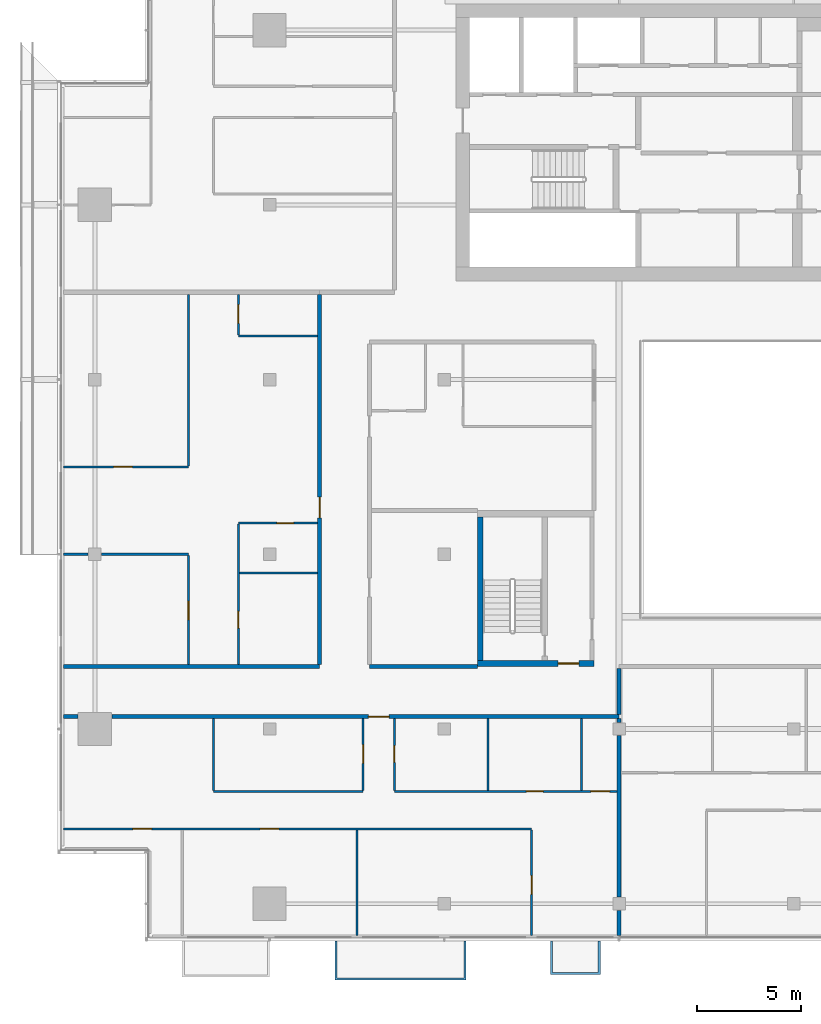
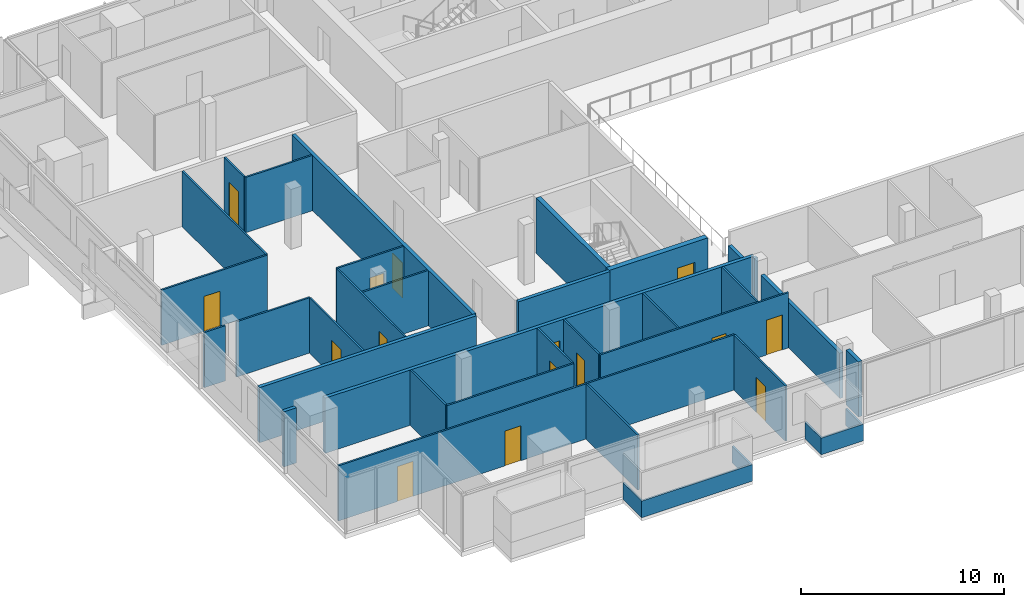
# One storey, part 18 of 29: 33 walls, 15 doors, 15 openings.
"""IFC4 building model written with IfcOpenShell, lengths in metres."""

import ifcopenshell
import ifcopenshell.guid

model = None  # the IFC model being written
_history = None  # IfcOwnerHistory: only IFC2X3 demands one
_inside = {}  # id of a spatial element -> (the spatial element, [elements in it])
_under = {}  # id of a project, library or spatial element -> (it, [spatial elements below it])
_declared = {}  # id of a project -> (the project, [libraries it declares])
_typed = {}  # id of a type object -> (the type object, [elements of that type])
_made_of = {}  # id of a material, layer set ... -> (it, [elements and type objects made of it])


def new_model(schema):
    """Start an empty IFC model of exactly this schema.

    Asked for "IFC4X3", IfcOpenShell would pick the latest addendum, in which some entities
    have other attributes; the version numbers below select the first issue.
    IFC2X3 requires an IfcOwnerHistory on every rooted entity: one is made here for all.
    """
    global model, _history
    if schema == "IFC4X3":
        model = ifcopenshell.file(schema_version=(4, 3, 0, 0))
    else:
        model = ifcopenshell.file(schema=schema)
    _inside.clear()
    _under.clear()
    _declared.clear()
    _typed.clear()
    _made_of.clear()
    _history = None
    if model.schema == "IFC2X3":
        org = make("IfcOrganization", Name="unknown")
        user = make(
            "IfcPersonAndOrganization",
            ThePerson=make("IfcPerson", FamilyName="unknown"),
            TheOrganization=org,
        )
        app = make(
            "IfcApplication",
            ApplicationDeveloper=org,
            Version="unknown",
            ApplicationFullName="unknown",
            ApplicationIdentifier="unknown",
        )
        _history = make(
            "IfcOwnerHistory",
            OwningUser=user,
            OwningApplication=app,
            ChangeAction="ADDED",
            CreationDate=0,
        )
    return model


def make(cls, **values):
    """One entity of the class cls with the attributes given. An attribute that is None is left unset."""
    return model.create_entity(
        cls, **{name: value for name, value in values.items() if value is not None}
    )


def rooted(cls, **values):
    """An entity with a GlobalId (a new one), such as an element, a storey or a relation."""
    return make(cls, GlobalId=ifcopenshell.guid.new(), OwnerHistory=_history, **values)


def si_unit(unit_type, name, prefix=None):
    """IfcSIUnit, for example si_unit("LENGTHUNIT", "METRE", prefix="MILLI")."""
    return make("IfcSIUnit", UnitType=unit_type, Prefix=prefix, Name=name)


def assignment(units):
    """IfcUnitAssignment: the units of a project."""
    return None if units is None else make("IfcUnitAssignment", Units=units)


def point(xyz):
    """IfcCartesianPoint."""
    return None if xyz is None else make("IfcCartesianPoint", Coordinates=xyz)


def direction(xyz):
    """IfcDirection."""
    return None if xyz is None else make("IfcDirection", DirectionRatios=xyz)


def frame(location, z_axis=None, x_axis=None):
    """IfcAxis2Placement3D, a coordinate frame: its origin and axes. An axis left out is left unset."""
    return make(
        "IfcAxis2Placement3D",
        Location=point(location),
        Axis=direction(z_axis),
        RefDirection=direction(x_axis),
    )


def frame_2d(location, x_axis=None):
    """IfcAxis2Placement2D, a coordinate frame in the plane: its origin and x axis."""
    return make(
        "IfcAxis2Placement2D", Location=point(location), RefDirection=direction(x_axis)
    )


def origin():
    """The frame at (0, 0, 0) with its axes left unset."""
    return frame((0.0, 0.0, 0.0))


def place(relative_to, where):
    """IfcLocalPlacement: puts the frame where relative to a parent placement (None: the world)."""
    return make(
        "IfcLocalPlacement", PlacementRelTo=relative_to, RelativePlacement=where
    )


def context(
    kind, dimensions, precision=None, world=None, true_north=None, identifier=None
):
    """IfcGeometricRepresentationContext, for example the 3D "Model" context."""
    return make(
        "IfcGeometricRepresentationContext",
        ContextIdentifier=identifier,
        ContextType=kind,
        CoordinateSpaceDimension=dimensions,
        Precision=precision,
        WorldCoordinateSystem=world,
        TrueNorth=true_north,
    )


def subcontext(parent, identifier, kind, view, scale=None):
    """IfcGeometricRepresentationSubContext, for example "Body" below "Model"."""
    return make(
        "IfcGeometricRepresentationSubContext",
        ContextIdentifier=identifier,
        ContextType=kind,
        ParentContext=parent,
        TargetScale=scale,
        TargetView=view,
    )


def project(units=None, contexts=None):
    """IfcProject with its units and contexts."""
    return rooted(
        "IfcProject",
        Name="project",
        RepresentationContexts=contexts,
        UnitsInContext=assignment(units),
    )


def spatial(cls, under=None, at=None, **own):
    """A site, building, storey or space (cls), placed at a placement, below another one or the project."""
    s = rooted(cls, ObjectPlacement=at, **own)
    if under is not None:
        _under.setdefault(under.id(), (under, []))[1].append(s)
    return s


def polyline(points):
    """IfcPolyline through the points."""
    return make("IfcPolyline", Points=[point(p) for p in points])


def profile(cls, at=None, kind="AREA", **sizes):
    """A parametric profile (cls). Its sizes go by their IFC names, for example OverallWidth=200.0."""
    return make(cls, ProfileType=kind, Position=at, **sizes)


def rectangle(**sizes):
    """IfcRectangleProfileDef."""
    return profile("IfcRectangleProfileDef", **sizes)


def outline(outer, holes=None, kind="AREA"):
    """IfcArbitraryClosedProfileDef: a profile drawn as a closed curve; with holes, ...WithVoids."""
    if holes is None:
        return make("IfcArbitraryClosedProfileDef", ProfileType=kind, OuterCurve=outer)
    return make(
        "IfcArbitraryProfileDefWithVoids",
        ProfileType=kind,
        OuterCurve=outer,
        InnerCurves=holes,
    )


def extrude(swept, where, along, depth):
    """IfcExtrudedAreaSolid: the profile swept, set in the frame where, extruded along a direction by depth."""
    return make(
        "IfcExtrudedAreaSolid",
        SweptArea=swept,
        Position=where,
        ExtrudedDirection=direction(along),
        Depth=depth,
    )


def shape(context_of_items, identifier, shape_type, items):
    """IfcShapeRepresentation: the items that make up one representation, for example the "Body"."""
    return make(
        "IfcShapeRepresentation",
        ContextOfItems=context_of_items,
        RepresentationIdentifier=identifier,
        RepresentationType=shape_type,
        Items=items,
    )


def material(Name=None, Category=None):
    """IfcMaterial."""
    return make("IfcMaterial", Name=Name, Category=Category)


def layer(
    of_material, thickness, ventilated=None, Name=None, Category=None, Priority=None
):
    """IfcMaterialLayer: one layer of a wall or slab, of a material (None: an air gap)."""
    return make(
        "IfcMaterialLayer",
        Material=of_material,
        LayerThickness=thickness,
        IsVentilated=ventilated,
        Name=Name,
        Category=Category,
        Priority=Priority,
    )


def layer_set(layers, Name=None):
    """IfcMaterialLayerSet."""
    return make("IfcMaterialLayerSet", MaterialLayers=layers, LayerSetName=Name)


def made_of(thing, what):
    """Note that an element or type object is made of a material, layer set ...; save() writes the relation."""
    if what is not None:
        _made_of.setdefault(what.id(), (what, []))[1].append(thing)
    return thing


def type_object(cls, material=None, **own):
    """A type object (cls), such as IfcWallType, which elements share."""
    return made_of(rooted(cls, **own), material)


def element(
    cls,
    number,
    at=None,
    inside=None,
    cuts=None,
    type_object=None,
    material=None,
    context=None,
    identifier="Body",
    shape_type=None,
    held_by="IfcProductDefinitionShape",
    body=None,
    shapes=None,
    **own,
):
    """One element of the class cls, such as IfcWall. Its Tag is "e" and its number.

    at: its placement. inside: the storey or other place that contains it. cuts: it is an
    opening in that element (IfcRelVoidsElement). A single representation is given by context,
    identifier, shape_type and body (its items); several are given by shapes. held_by: the class
    of the entity that holds the representations. save() writes the other relations.
    """
    e = rooted(cls, Tag="e%d" % number, ObjectPlacement=at, **own)
    if body is not None:
        shapes = [shape(context, identifier, shape_type, body)]
    if shapes is not None:
        e.Representation = make(held_by, Representations=shapes)
    if inside is not None:
        _inside.setdefault(inside.id(), (inside, []))[1].append(e)
    if cuts is not None:
        rooted(
            "IfcRelVoidsElement", RelatingBuildingElement=cuts, RelatedOpeningElement=e
        )
    if type_object is not None:
        _typed.setdefault(type_object.id(), (type_object, []))[1].append(e)
    return made_of(e, material)


def fill(opening, filler):
    """IfcRelFillsElement: the door or window that sits in an opening."""
    return rooted(
        "IfcRelFillsElement",
        RelatingOpeningElement=opening,
        RelatedBuildingElement=filler,
    )


def aggregate(whole, parts):
    """IfcRelAggregates: a whole, such as a stair, and the parts it consists of."""
    return rooted("IfcRelAggregates", RelatingObject=whole, RelatedObjects=parts)


def save(model, path):
    """Write the relations noted so far, then the file.

    IfcRelAggregates (storeys below a building ...), IfcRelContainedInSpatialStructure (elements
    in a storey), IfcRelDefinesByType, IfcRelAssociatesMaterial and IfcRelDeclares: one each for
    every whole, place, type object, material and project.
    """
    for whole, parts in _under.values():
        aggregate(whole, parts)
    for where, things in _inside.values():
        rooted(
            "IfcRelContainedInSpatialStructure",
            RelatedElements=things,
            RelatingStructure=where,
        )
    for kind, things in _typed.values():
        rooted("IfcRelDefinesByType", RelatedObjects=things, RelatingType=kind)
    for what, things in _made_of.values():
        rooted("IfcRelAssociatesMaterial", RelatedObjects=things, RelatingMaterial=what)
    for by, libraries in _declared.values():
        rooted("IfcRelDeclares", RelatingContext=by, RelatedDefinitions=libraries)
    model.write(path)


model = new_model("IFC4")

# Units and contexts
model_context = context("Model", 3, precision=1e-05, world=origin(), true_north=direction((0.0, 1.0)))
body_context = subcontext(model_context, "Body", "Model", "MODEL_VIEW")
ifc_project = project(units=[si_unit("LENGTHUNIT", "METRE"), si_unit("AREAUNIT", "SQUARE_METRE"), si_unit("VOLUMEUNIT", "CUBIC_METRE"), si_unit("PLANEANGLEUNIT", "RADIAN"), si_unit("MASSUNIT", "GRAM", prefix="KILO")], contexts=[model_context])

# Site, building, storey
site_placement = place(None, origin())
site = spatial("IfcSite", under=ifc_project, at=site_placement, CompositionType="ELEMENT")
building_placement = place(site_placement, origin())
building = spatial("IfcBuilding", under=site, at=building_placement, Name="Saffron Gate Tower", CompositionType="ELEMENT")
storey_placement = place(building_placement, frame((0.0, 0.0, 219.89990234375)))
storey = spatial("IfcBuildingStorey", under=building, at=storey_placement, Name="L53", CompositionType="ELEMENT", Elevation=219.89990234375)

# Wall
ifc_material_1 = material(Name="Concrete C60", Category="concrete")
ifc_layer_1 = layer(ifc_material_1, 0.25)
ifc_layer_set_1 = layer_set([ifc_layer_1], Name="CW14 RC core wall 250 C60")
wall_type_1 = type_object("IfcWallType", Name="CW14 RC core wall 250 C60", PredefinedType="SOLIDWALL", material=ifc_layer_set_1)
wall_1_placement = place(storey_placement, frame((68.324951171875, 43.5, 0.0), z_axis=(0.0, 0.0, 1.0), x_axis=(0.0, 1.0, 0.0)))
element("IfcWall", 1, at=wall_1_placement, inside=storey, type_object=wall_type_1, Name="Wall CW14-L53-D-2", PredefinedType="SOLIDWALL", context=body_context, shape_type="SweptSolid", body=[
    extrude(rectangle(XDim=6.89990234375, YDim=0.25, at=frame_2d((3.449951171875, 0.0))), origin(), (0.0, 0.0, 1.0), 3.320068359375),
])

# Wall, opening, door
ifc_layer_2 = layer(ifc_material_1, 0.300048828125)
ifc_layer_set_2 = layer_set([ifc_layer_2], Name="CW17 RC core wall 300 C60")
wall_type_2 = type_object("IfcWallType", Name="CW17 RC core wall 300 C60", PredefinedType="SOLIDWALL", material=ifc_layer_set_2)
wall_2_placement = place(storey_placement, frame((68.199951171875, 43.35009765625, 0.0), z_axis=(0.0, 0.0, 1.0), x_axis=(1.0, 0.0, 0.0)))
wall_2 = element("IfcWall", 2, at=wall_2_placement, inside=storey, type_object=wall_type_2, Name="Wall CW17-L53-D-1", PredefinedType="SOLIDWALL", context=body_context, shape_type="SweptSolid", body=[
    extrude(rectangle(XDim=5.60009765625, YDim=0.300048828125, at=frame_2d((2.800048828125, 0.0))), origin(), (0.0, 0.0, 1.0), 3.320068359375),
])
opening_1_placement = place(wall_2_placement, frame((3.875, 0.0, 0.0)))
opening_1 = element("IfcOpeningElement", 3, at=opening_1_placement, cuts=wall_2, Name="Opening CR-18", PredefinedType="OPENING", context=body_context, shape_type="SweptSolid", body=[
    extrude(rectangle(XDim=1.0, YDim=2.10009765625, at=frame_2d((0.5, 1.050048828125))), frame((0.0, 0.16015625, 0.0), z_axis=(0.0, -1.0, 0.0), x_axis=(1.0, 0.0, 0.0)), (0.0, 0.0, 1.0), 0.320068359375),
])
ifc_material_2 = material(Name="Steel fire door set", Category="steel")
door_type_1 = type_object("IfcDoorType", Name="CD4 Lobby door 1000x2100 EI 120", OperationType="NOTDEFINED", PredefinedType="DOOR", material=ifc_material_2)
door_1_placement = place(opening_1_placement, origin())
door_1 = element("IfcDoor", 4, at=door_1_placement, inside=storey, type_object=door_type_1, Name="DOOR CR-18", OperationType="SINGLE_SWING_RIGHT", OverallHeight=2.10009765625, OverallWidth=1.0, PredefinedType="DOOR", context=body_context, shape_type="SweptSolid", body=[
    extrude(rectangle(XDim=1.0, YDim=2.10009765625, at=frame_2d((0.5, 1.050048828125))), frame((0.0, 0.02490234375, 0.0), z_axis=(0.0, -1.0, 0.0), x_axis=(1.0, 0.0, 0.0)), (0.0, 0.0, 1.0), 0.050048828125),
])
fill(opening_1, door_1)

# Wall, openings, doors
ifc_material_3 = material(Name="Plasterboard on steel studs", Category="steel")
ifc_layer_3 = layer(ifc_material_3, 0.10009765625)
ifc_layer_set_3 = layer_set([ifc_layer_3], Name="PW1 Partition 100")
wall_type_3 = type_object("IfcWallType", Name="PW1 Partition 100", PredefinedType="PARTITIONING", material=ifc_layer_set_3)
wall_3_placement = place(storey_placement, frame((70.800048828125, 35.39990234375, 0.0), z_axis=(0.0, 0.0, 1.0), x_axis=(-1.0, 0.0, 0.0)))
wall_3 = element("IfcWall", 5, at=wall_3_placement, inside=storey, type_object=wall_type_3, Name="Partition D2-3", PredefinedType="PARTITIONING", context=body_context, shape_type="SweptSolid", body=[
    extrude(rectangle(XDim=22.52001953125, YDim=0.10009765625, at=frame_2d((11.260009765625, 0.0))), origin(), (0.0, 0.0, 1.0), 3.320068359375),
])
opening_2_placement = place(wall_3_placement, frame((12.14990234375, 0.0, 0.0)))
opening_2 = element("IfcOpeningElement", 6, at=opening_2_placement, cuts=wall_3, Name="Opening D2-11", PredefinedType="OPENING", context=body_context, shape_type="SweptSolid", body=[
    extrude(rectangle(XDim=0.89990234375, YDim=2.10009765625, at=frame_2d((0.449951171875, 1.050048828125))), frame((0.0, 0.06005859375, 0.0), z_axis=(0.0, -1.0, 0.0), x_axis=(1.0, 0.0, 0.0)), (0.0, 0.0, 1.0), 0.1201171875),
])
opening_3_placement = place(wall_3_placement, frame((18.2744140625, 0.0, 0.0)))
opening_3 = element("IfcOpeningElement", 7, at=opening_3_placement, cuts=wall_3, Name="Opening D2-10", PredefinedType="OPENING", context=body_context, shape_type="SweptSolid", body=[
    extrude(rectangle(XDim=0.89990234375, YDim=2.10009765625, at=frame_2d((0.449951171875, 1.050048828125))), frame((0.0, 0.06005859375, 0.0), z_axis=(0.0, -1.0, 0.0), x_axis=(1.0, 0.0, 0.0)), (0.0, 0.0, 1.0), 0.1201171875),
])
ifc_material_4 = material(Name="Timber door set", Category="wood")
door_type_2 = type_object("IfcDoorType", Name="RD1 Room door 900x2100", OperationType="NOTDEFINED", PredefinedType="DOOR", material=ifc_material_4)
door_2_placement = place(opening_2_placement, origin())
door_2 = element("IfcDoor", 8, at=door_2_placement, inside=storey, type_object=door_type_2, Name="Door D2-11", OperationType="SINGLE_SWING_RIGHT", OverallHeight=2.10009765625, OverallWidth=0.89990234375, PredefinedType="DOOR", context=body_context, shape_type="SweptSolid", body=[
    extrude(rectangle(XDim=0.89990234375, YDim=2.10009765625, at=frame_2d((0.449951171875, 1.050048828125))), frame((0.0, 0.02490234375, 0.0), z_axis=(0.0, -1.0, 0.0), x_axis=(1.0, 0.0, 0.0)), (0.0, 0.0, 1.0), 0.050048828125),
])
fill(opening_2, door_2)
door_3_placement = place(opening_3_placement, origin())
door_3 = element("IfcDoor", 9, at=door_3_placement, inside=storey, type_object=door_type_2, Name="Door D2-10", OperationType="SINGLE_SWING_LEFT", OverallHeight=2.10009765625, OverallWidth=0.89990234375, PredefinedType="DOOR", context=body_context, shape_type="SweptSolid", body=[
    extrude(rectangle(XDim=0.89990234375, YDim=2.10009765625, at=frame_2d((0.449951171875, 1.050048828125))), frame((0.0, 0.02490234375, 0.0), z_axis=(0.0, -1.0, 0.0), x_axis=(1.0, 0.0, 0.0)), (0.0, 0.0, 1.0), 0.050048828125),
])
fill(opening_3, door_3)

# Wall
wall_4_placement = place(storey_placement, frame((55.5, 37.199951171875, 0.0), z_axis=(0.0, 0.0, 1.0), x_axis=(1.0, 0.0, 0.0)))
element("IfcWall", 10, at=wall_4_placement, inside=storey, type_object=wall_type_3, Name="Partition D2-5", PredefinedType="PARTITIONING", context=body_context, shape_type="SweptSolid", body=[
    extrude(rectangle(XDim=7.199951171875, YDim=0.10009765625, at=frame_2d((3.60009765625, 0.0))), origin(), (0.0, 0.0, 1.0), 3.320068359375),
])

# Wall, openings, doors
wall_5_placement = place(storey_placement, frame((64.199951171875, 37.199951171875, 0.0), z_axis=(0.0, 0.0, 1.0), x_axis=(1.0, 0.0, 0.0)))
wall_5 = element("IfcWall", 11, at=wall_5_placement, inside=storey, type_object=wall_type_3, Name="Partition D2-6", PredefinedType="PARTITIONING", context=body_context, shape_type="SweptSolid", body=[
    extrude(rectangle(XDim=10.699951171875, YDim=0.10009765625, at=frame_2d((5.35009765625, 0.0))), origin(), (0.0, 0.0, 1.0), 3.320068359375),
])
opening_4_placement = place(wall_5_placement, frame((6.35009765625, 0.0, 0.0)))
opening_4 = element("IfcOpeningElement", 12, at=opening_4_placement, cuts=wall_5, Name="Opening D2-40", PredefinedType="OPENING", context=body_context, shape_type="SweptSolid", body=[
    extrude(rectangle(XDim=0.800048828125, YDim=2.10009765625, at=frame_2d((0.39990234375, 1.050048828125))), frame((0.0, 0.06005859375, 0.0), z_axis=(0.0, -1.0, 0.0), x_axis=(1.0, 0.0, 0.0)), (0.0, 0.0, 1.0), 0.1201171875),
])
opening_5_placement = place(wall_5_placement, frame((9.449951171875, 0.0, 0.0)))
opening_5 = element("IfcOpeningElement", 13, at=opening_5_placement, cuts=wall_5, Name="Opening D2-14", PredefinedType="OPENING", context=body_context, shape_type="SweptSolid", body=[
    extrude(rectangle(XDim=0.89990234375, YDim=2.10009765625, at=frame_2d((0.449951171875, 1.050048828125))), frame((0.0, 0.06005859375, 0.0), z_axis=(0.0, -1.0, 0.0), x_axis=(1.0, 0.0, 0.0)), (0.0, 0.0, 1.0), 0.1201171875),
])
door_4_placement = place(opening_5_placement, origin())
door_4 = element("IfcDoor", 14, at=door_4_placement, inside=storey, type_object=door_type_2, Name="Door D2-14", OperationType="SINGLE_SWING_RIGHT", OverallHeight=2.10009765625, OverallWidth=0.89990234375, PredefinedType="DOOR", context=body_context, shape_type="SweptSolid", body=[
    extrude(rectangle(XDim=0.89990234375, YDim=2.10009765625, at=frame_2d((0.449951171875, 1.050048828125))), frame((0.0, 0.02490234375, 0.0), z_axis=(0.0, -1.0, 0.0), x_axis=(1.0, 0.0, 0.0)), (0.0, 0.0, 1.0), 0.050048828125),
])
fill(opening_5, door_4)
door_type_3 = type_object("IfcDoorType", Name="RD2 Bathroom door 800x2100", OperationType="NOTDEFINED", PredefinedType="DOOR", material=ifc_material_4)
door_5_placement = place(opening_4_placement, origin())
door_5 = element("IfcDoor", 15, at=door_5_placement, inside=storey, type_object=door_type_3, Name="Door D2-40", OperationType="SINGLE_SWING_LEFT", OverallHeight=2.10009765625, OverallWidth=0.800048828125, PredefinedType="DOOR", context=body_context, shape_type="SweptSolid", body=[
    extrude(rectangle(XDim=0.800048828125, YDim=2.10009765625, at=frame_2d((0.39990234375, 1.050048828125))), frame((0.0, 0.02490234375, 0.0), z_axis=(0.0, -1.0, 0.0), x_axis=(1.0, 0.0, 0.0)), (0.0, 0.0, 1.0), 0.050048828125),
])
fill(opening_4, door_5)

# Walls
wall_6_placement = place(storey_placement, frame((56.75, 47.699951171875, 0.0), z_axis=(0.0, 0.0, 1.0), x_axis=(1.0, 0.0, 0.0)))
element("IfcWall", 16, at=wall_6_placement, inside=storey, type_object=wall_type_3, Name="Partition D2-18", PredefinedType="PARTITIONING", context=body_context, shape_type="SweptSolid", body=[
    extrude(rectangle(XDim=3.75, YDim=0.10009765625, at=frame_2d((1.875, 0.0))), origin(), (0.0, 0.0, 1.0), 3.320068359375),
])
wall_7_placement = place(storey_placement, frame((48.280029296875, 48.60009765625, 0.0), z_axis=(0.0, 0.0, 1.0), x_axis=(1.0, 0.0, 0.0)))
element("IfcWall", 17, at=wall_7_placement, inside=storey, type_object=wall_type_3, Name="Partition D2-19", PredefinedType="PARTITIONING", context=body_context, shape_type="SweptSolid", body=[
    extrude(rectangle(XDim=1.199951171875, YDim=0.10009765625, at=frame_2d((0.60009765625, 0.0))), origin(), (0.0, 0.0, 1.0), 3.320068359375),
])
wall_8_placement = place(storey_placement, frame((50.1201171875, 48.60009765625, 0.0), z_axis=(0.0, 0.0, 1.0), x_axis=(1.0, 0.0, 0.0)))
element("IfcWall", 18, at=wall_8_placement, inside=storey, type_object=wall_type_3, Name="Partition D2-20", PredefinedType="PARTITIONING", context=body_context, shape_type="SweptSolid", body=[
    extrude(rectangle(XDim=4.179931640625, YDim=0.10009765625, at=frame_2d((2.08984375, 0.0))), origin(), (0.0, 0.0, 1.0), 3.320068359375),
])

# Wall, opening, door
wall_9_placement = place(storey_placement, frame((60.5, 50.10009765625, 0.0), z_axis=(0.0, 0.0, 1.0), x_axis=(-1.0, 0.0, 0.0)))
wall_9 = element("IfcWall", 19, at=wall_9_placement, inside=storey, type_object=wall_type_3, Name="Partition D2-23", PredefinedType="PARTITIONING", context=body_context, shape_type="SweptSolid", body=[
    extrude(rectangle(XDim=3.800048828125, YDim=0.10009765625, at=frame_2d((1.89990234375, 0.0))), origin(), (0.0, 0.0, 1.0), 3.320068359375),
])
opening_6_placement = place(wall_9_placement, frame((1.14990234375, 0.0, 0.0)))
opening_6 = element("IfcOpeningElement", 20, at=opening_6_placement, cuts=wall_9, Name="Opening D2-46", PredefinedType="OPENING", context=body_context, shape_type="SweptSolid", body=[
    extrude(rectangle(XDim=0.800048828125, YDim=2.10009765625, at=frame_2d((0.39990234375, 1.050048828125))), frame((0.0, 0.06005859375, 0.0), z_axis=(0.0, -1.0, 0.0), x_axis=(1.0, 0.0, 0.0)), (0.0, 0.0, 1.0), 0.1201171875),
])
door_6_placement = place(opening_6_placement, origin())
door_6 = element("IfcDoor", 21, at=door_6_placement, inside=storey, type_object=door_type_3, Name="Door D2-46", OperationType="SINGLE_SWING_LEFT", OverallHeight=2.10009765625, OverallWidth=0.800048828125, PredefinedType="DOOR", context=body_context, shape_type="SweptSolid", body=[
    extrude(rectangle(XDim=0.800048828125, YDim=2.10009765625, at=frame_2d((0.39990234375, 1.050048828125))), frame((0.0, 0.02490234375, 0.0), z_axis=(0.0, -1.0, 0.0), x_axis=(1.0, 0.0, 0.0)), (0.0, 0.0, 1.0), 0.050048828125),
])
fill(opening_6, door_6)

wall_10_placement = place(storey_placement, frame((48.280029296875, 52.800048828125, 0.0), z_axis=(0.0, 0.0, 1.0), x_axis=(1.0, 0.0, 0.0)))
wall_10 = element("IfcWall", 22, at=wall_10_placement, inside=storey, type_object=wall_type_3, Name="Partition D2-27", PredefinedType="PARTITIONING", context=body_context, shape_type="SweptSolid", body=[
    extrude(rectangle(XDim=6.02001953125, YDim=0.10009765625, at=frame_2d((3.010009765625, 0.0))), origin(), (0.0, 0.0, 1.0), 3.320068359375),
])
opening_7_placement = place(wall_10_placement, frame((2.419921875, 0.0, 0.0)))
opening_7 = element("IfcOpeningElement", 23, at=opening_7_placement, cuts=wall_10, Name="Opening D2-26", PredefinedType="OPENING", context=body_context, shape_type="SweptSolid", body=[
    extrude(rectangle(XDim=0.89990234375, YDim=2.10009765625, at=frame_2d((0.449951171875, 1.050048828125))), frame((0.0, 0.06005859375, 0.0), z_axis=(0.0, -1.0, 0.0), x_axis=(1.0, 0.0, 0.0)), (0.0, 0.0, 1.0), 0.1201171875),
])
door_7_placement = place(opening_7_placement, origin())
door_7 = element("IfcDoor", 24, at=door_7_placement, inside=storey, type_object=door_type_2, Name="Door D2-26", OperationType="SINGLE_SWING_LEFT", OverallHeight=2.10009765625, OverallWidth=0.89990234375, PredefinedType="DOOR", context=body_context, shape_type="SweptSolid", body=[
    extrude(rectangle(XDim=0.89990234375, YDim=2.10009765625, at=frame_2d((0.449951171875, 1.050048828125))), frame((0.0, 0.02490234375, 0.0), z_axis=(0.0, -1.0, 0.0), x_axis=(1.0, 0.0, 0.0)), (0.0, 0.0, 1.0), 0.050048828125),
])
fill(opening_7, door_7)

# Wall
wall_11_placement = place(storey_placement, frame((56.699951171875, 59.10009765625, 0.0), z_axis=(0.0, 0.0, 1.0), x_axis=(1.0, 0.0, 0.0)))
element("IfcWall", 25, at=wall_11_placement, inside=storey, type_object=wall_type_3, Name="Partition D2-38", PredefinedType="PARTITIONING", context=body_context, shape_type="SweptSolid", body=[
    extrude(rectangle(XDim=3.800048828125, YDim=0.10009765625, at=frame_2d((1.89990234375, 0.0))), origin(), (0.0, 0.0, 1.0), 3.320068359375),
])

# Wall, opening, door
wall_12_placement = place(storey_placement, frame((54.300048828125, 43.300048828125, 0.0), z_axis=(0.0, 0.0, 1.0), x_axis=(0.0, 1.0, 0.0)))
wall_12 = element("IfcWall", 26, at=wall_12_placement, inside=storey, type_object=wall_type_3, Name="Partition D2-60", PredefinedType="PARTITIONING", context=body_context, shape_type="SweptSolid", body=[
    extrude(rectangle(XDim=5.25, YDim=0.10009765625, at=frame_2d((2.625, 0.0))), origin(), (0.0, 0.0, 1.0), 3.320068359375),
])
opening_8_placement = place(wall_12_placement, frame((2.14990234375, 0.0, 0.0)))
opening_8 = element("IfcOpeningElement", 27, at=opening_8_placement, cuts=wall_12, Name="Opening D2-25", PredefinedType="OPENING", context=body_context, shape_type="SweptSolid", body=[
    extrude(rectangle(XDim=0.89990234375, YDim=2.10009765625, at=frame_2d((0.449951171875, 1.050048828125))), frame((0.0, 0.06005859375, 0.0), z_axis=(0.0, -1.0, 0.0), x_axis=(1.0, 0.0, 0.0)), (0.0, 0.0, 1.0), 0.1201171875),
])
door_8_placement = place(opening_8_placement, origin())
door_8 = element("IfcDoor", 28, at=door_8_placement, inside=storey, type_object=door_type_2, Name="Door D2-25", OperationType="SINGLE_SWING_LEFT", OverallHeight=2.10009765625, OverallWidth=0.89990234375, PredefinedType="DOOR", context=body_context, shape_type="SweptSolid", body=[
    extrude(rectangle(XDim=0.89990234375, YDim=2.10009765625, at=frame_2d((0.449951171875, 1.050048828125))), frame((0.0, 0.02490234375, 0.0), z_axis=(0.0, -1.0, 0.0), x_axis=(1.0, 0.0, 0.0)), (0.0, 0.0, 1.0), 0.050048828125),
])
fill(opening_8, door_8)

# Walls
wall_13_placement = place(storey_placement, frame((54.300048828125, 61.10009765625, 0.0), z_axis=(0.0, 0.0, 1.0), x_axis=(0.0, -1.0, 0.0)))
element("IfcWall", 29, at=wall_13_placement, inside=storey, type_object=wall_type_3, Name="Partition D2-61", PredefinedType="PARTITIONING", context=body_context, shape_type="SweptSolid", body=[
    extrude(rectangle(XDim=8.25, YDim=0.10009765625, at=frame_2d((4.125, 0.0))), origin(), (0.0, 0.0, 1.0), 3.320068359375),
])
wall_14_placement = place(storey_placement, frame((55.5, 40.699951171875, 0.0), z_axis=(0.0, 0.0, 1.0), x_axis=(0.0, -1.0, 0.0)))
element("IfcWall", 30, at=wall_14_placement, inside=storey, type_object=wall_type_3, Name="Partition D2-62", PredefinedType="PARTITIONING", context=body_context, shape_type="SweptSolid", body=[
    extrude(rectangle(XDim=3.449951171875, YDim=0.10009765625, at=frame_2d((1.72509765625, 0.0))), origin(), (0.0, 0.0, 1.0), 3.320068359375),
])

# Wall, opening, door
wall_15_placement = place(storey_placement, frame((56.699951171875, 50.050048828125, 0.0), z_axis=(0.0, 0.0, 1.0), x_axis=(0.0, -1.0, 0.0)))
wall_15 = element("IfcWall", 31, at=wall_15_placement, inside=storey, type_object=wall_type_3, Name="Partition D2-65", PredefinedType="PARTITIONING", context=body_context, shape_type="SweptSolid", body=[
    extrude(rectangle(XDim=6.75, YDim=0.10009765625, at=frame_2d((3.375, 0.0))), origin(), (0.0, 0.0, 1.0), 3.320068359375),
])
opening_9_placement = place(wall_15_placement, frame((4.199951171875, 0.0, 0.0)))
opening_9 = element("IfcOpeningElement", 32, at=opening_9_placement, cuts=wall_15, Name="Opening D2-45", PredefinedType="OPENING", context=body_context, shape_type="SweptSolid", body=[
    extrude(rectangle(XDim=0.800048828125, YDim=2.10009765625, at=frame_2d((0.39990234375, 1.050048828125))), frame((0.0, 0.06005859375, 0.0), z_axis=(0.0, -1.0, 0.0), x_axis=(1.0, 0.0, 0.0)), (0.0, 0.0, 1.0), 0.1201171875),
])
door_9_placement = place(opening_9_placement, origin())
door_9 = element("IfcDoor", 33, at=door_9_placement, inside=storey, type_object=door_type_3, Name="Door D2-45", OperationType="SINGLE_SWING_RIGHT", OverallHeight=2.10009765625, OverallWidth=0.800048828125, PredefinedType="DOOR", context=body_context, shape_type="SweptSolid", body=[
    extrude(rectangle(XDim=0.800048828125, YDim=2.10009765625, at=frame_2d((0.39990234375, 1.050048828125))), frame((0.0, 0.02490234375, 0.0), z_axis=(0.0, -1.0, 0.0), x_axis=(1.0, 0.0, 0.0)), (0.0, 0.0, 1.0), 0.050048828125),
])
fill(opening_9, door_9)

wall_16_placement = place(storey_placement, frame((56.699951171875, 61.10009765625, 0.0), z_axis=(0.0, 0.0, 1.0), x_axis=(0.0, -1.0, 0.0)))
wall_16 = element("IfcWall", 34, at=wall_16_placement, inside=storey, type_object=wall_type_3, Name="Partition D2-66", PredefinedType="PARTITIONING", context=body_context, shape_type="SweptSolid", body=[
    extrude(rectangle(XDim=1.9501953125, YDim=0.10009765625, at=frame_2d((0.97509765625, 0.0))), origin(), (0.0, 0.0, 1.0), 3.320068359375),
])
opening_10_placement = place(wall_16_placement, frame((0.5, 0.0, 0.0)))
opening_10 = element("IfcOpeningElement", 35, at=opening_10_placement, cuts=wall_16, Name="Opening D2-27", PredefinedType="OPENING", context=body_context, shape_type="SweptSolid", body=[
    extrude(rectangle(XDim=0.89990234375, YDim=2.10009765625, at=frame_2d((0.449951171875, 1.050048828125))), frame((0.0, 0.06005859375, 0.0), z_axis=(0.0, -1.0, 0.0), x_axis=(1.0, 0.0, 0.0)), (0.0, 0.0, 1.0), 0.1201171875),
])
door_10_placement = place(opening_10_placement, origin())
door_10 = element("IfcDoor", 36, at=door_10_placement, inside=storey, type_object=door_type_2, Name="Door D2-27", OperationType="SINGLE_SWING_LEFT", OverallHeight=2.10009765625, OverallWidth=0.89990234375, PredefinedType="DOOR", context=body_context, shape_type="SweptSolid", body=[
    extrude(rectangle(XDim=0.89990234375, YDim=2.10009765625, at=frame_2d((0.449951171875, 1.050048828125))), frame((0.0, 0.02490234375, 0.0), z_axis=(0.0, -1.0, 0.0), x_axis=(1.0, 0.0, 0.0)), (0.0, 0.0, 1.0), 0.050048828125),
])
fill(opening_10, door_10)

# Wall
wall_17_placement = place(storey_placement, frame((62.39990234375, 35.35009765625, 0.0), z_axis=(0.0, 0.0, 1.0), x_axis=(0.0, -1.0, 0.0)))
element("IfcWall", 37, at=wall_17_placement, inside=storey, type_object=wall_type_3, Name="Partition D2-68", PredefinedType="PARTITIONING", context=body_context, shape_type="SweptSolid", body=[
    extrude(rectangle(XDim=5.070068359375, YDim=0.10009765625, at=frame_2d((2.53515625, 0.0))), origin(), (0.0, 0.0, 1.0), 3.320068359375),
])

# Wall, opening, door
wall_18_placement = place(storey_placement, frame((62.699951171875, 37.25, 0.0), z_axis=(0.0, 0.0, 1.0), x_axis=(0.0, 1.0, 0.0)))
wall_18 = element("IfcWall", 38, at=wall_18_placement, inside=storey, type_object=wall_type_3, Name="Partition D2-69", PredefinedType="PARTITIONING", context=body_context, shape_type="SweptSolid", body=[
    extrude(rectangle(XDim=3.449951171875, YDim=0.10009765625, at=frame_2d((1.72509765625, 0.0))), origin(), (0.0, 0.0, 1.0), 3.320068359375),
])
opening_11_placement = place(wall_18_placement, frame((1.300048828125, 0.0, 0.0)))
opening_11 = element("IfcOpeningElement", 39, at=opening_11_placement, cuts=wall_18, Name="Opening D2-13", PredefinedType="OPENING", context=body_context, shape_type="SweptSolid", body=[
    extrude(rectangle(XDim=0.89990234375, YDim=2.10009765625, at=frame_2d((0.449951171875, 1.050048828125))), frame((0.0, 0.06005859375, 0.0), z_axis=(0.0, -1.0, 0.0), x_axis=(1.0, 0.0, 0.0)), (0.0, 0.0, 1.0), 0.1201171875),
])
door_11_placement = place(opening_11_placement, origin())
door_11 = element("IfcDoor", 40, at=door_11_placement, inside=storey, type_object=door_type_2, Name="Door D2-13", OperationType="SINGLE_SWING_RIGHT", OverallHeight=2.10009765625, OverallWidth=0.89990234375, PredefinedType="DOOR", context=body_context, shape_type="SweptSolid", body=[
    extrude(rectangle(XDim=0.89990234375, YDim=2.10009765625, at=frame_2d((0.449951171875, 1.050048828125))), frame((0.0, 0.02490234375, 0.0), z_axis=(0.0, -1.0, 0.0), x_axis=(1.0, 0.0, 0.0)), (0.0, 0.0, 1.0), 0.050048828125),
])
fill(opening_11, door_11)

wall_19_placement = place(storey_placement, frame((64.199951171875, 40.699951171875, 0.0), z_axis=(0.0, 0.0, 1.0), x_axis=(0.0, -1.0, 0.0)))
wall_19 = element("IfcWall", 41, at=wall_19_placement, inside=storey, type_object=wall_type_3, Name="Partition D2-72", PredefinedType="PARTITIONING", context=body_context, shape_type="SweptSolid", body=[
    extrude(rectangle(XDim=3.449951171875, YDim=0.10009765625, at=frame_2d((1.72509765625, 0.0))), origin(), (0.0, 0.0, 1.0), 3.320068359375),
])
opening_12_placement = place(wall_19_placement, frame((1.300048828125, 0.0, 0.0)))
opening_12 = element("IfcOpeningElement", 42, at=opening_12_placement, cuts=wall_19, Name="Opening D2-39", PredefinedType="OPENING", context=body_context, shape_type="SweptSolid", body=[
    extrude(rectangle(XDim=0.800048828125, YDim=2.10009765625, at=frame_2d((0.39990234375, 1.050048828125))), frame((0.0, 0.06005859375, 0.0), z_axis=(0.0, -1.0, 0.0), x_axis=(1.0, 0.0, 0.0)), (0.0, 0.0, 1.0), 0.1201171875),
])
door_12_placement = place(opening_12_placement, origin())
door_12 = element("IfcDoor", 43, at=door_12_placement, inside=storey, type_object=door_type_3, Name="Door D2-39", OperationType="SINGLE_SWING_LEFT", OverallHeight=2.10009765625, OverallWidth=0.800048828125, PredefinedType="DOOR", context=body_context, shape_type="SweptSolid", body=[
    extrude(rectangle(XDim=0.800048828125, YDim=2.10009765625, at=frame_2d((0.39990234375, 1.050048828125))), frame((0.0, 0.02490234375, 0.0), z_axis=(0.0, -1.0, 0.0), x_axis=(1.0, 0.0, 0.0)), (0.0, 0.0, 1.0), 0.050048828125),
])
fill(opening_12, door_12)

# Wall
wall_20_placement = place(storey_placement, frame((68.699951171875, 40.699951171875, 0.0), z_axis=(0.0, 0.0, 1.0), x_axis=(0.0, -1.0, 0.0)))
element("IfcWall", 44, at=wall_20_placement, inside=storey, type_object=wall_type_3, Name="Partition D2-75", PredefinedType="PARTITIONING", context=body_context, shape_type="SweptSolid", body=[
    extrude(rectangle(XDim=3.449951171875, YDim=0.10009765625, at=frame_2d((1.72509765625, 0.0))), origin(), (0.0, 0.0, 1.0), 3.320068359375),
])

# Wall, opening, door
wall_21_placement = place(storey_placement, frame((70.800048828125, 30.280029296875, 0.0), z_axis=(0.0, 0.0, 1.0), x_axis=(0.0, 1.0, 0.0)))
wall_21 = element("IfcWall", 45, at=wall_21_placement, inside=storey, type_object=wall_type_3, Name="Partition D2-76", PredefinedType="PARTITIONING", context=body_context, shape_type="SweptSolid", body=[
    extrude(rectangle(XDim=5.070068359375, YDim=0.10009765625, at=frame_2d((2.53515625, 0.0))), origin(), (0.0, 0.0, 1.0), 3.320068359375),
])
opening_13_placement = place(wall_21_placement, frame((1.969970703125, 0.0, 0.0)))
opening_13 = element("IfcOpeningElement", 46, at=opening_13_placement, cuts=wall_21, Name="Opening D2-12", PredefinedType="OPENING", context=body_context, shape_type="SweptSolid", body=[
    extrude(rectangle(XDim=0.89990234375, YDim=2.10009765625, at=frame_2d((0.449951171875, 1.050048828125))), frame((0.0, 0.06005859375, 0.0), z_axis=(0.0, -1.0, 0.0), x_axis=(1.0, 0.0, 0.0)), (0.0, 0.0, 1.0), 0.1201171875),
])
door_13_placement = place(opening_13_placement, origin())
door_13 = element("IfcDoor", 47, at=door_13_placement, inside=storey, type_object=door_type_2, Name="Door D2-12", OperationType="SINGLE_SWING_LEFT", OverallHeight=2.10009765625, OverallWidth=0.89990234375, PredefinedType="DOOR", context=body_context, shape_type="SweptSolid", body=[
    extrude(rectangle(XDim=0.89990234375, YDim=2.10009765625, at=frame_2d((0.449951171875, 1.050048828125))), frame((0.0, 0.02490234375, 0.0), z_axis=(0.0, -1.0, 0.0), x_axis=(1.0, 0.0, 0.0)), (0.0, 0.0, 1.0), 0.050048828125),
])
fill(opening_13, door_13)

# Walls
wall_22_placement = place(storey_placement, frame((73.199951171875, 40.699951171875, 0.0), z_axis=(0.0, 0.0, 1.0), x_axis=(0.0, -1.0, 0.0)))
element("IfcWall", 48, at=wall_22_placement, inside=storey, type_object=wall_type_3, Name="Partition D2-77", PredefinedType="PARTITIONING", context=body_context, shape_type="SweptSolid", body=[
    extrude(rectangle(XDim=3.449951171875, YDim=0.10009765625, at=frame_2d((1.72509765625, 0.0))), origin(), (0.0, 0.0, 1.0), 3.320068359375),
])
ifc_material_5 = material(Name="Clay brick masonry, rendered", Category="masonry")
ifc_layer_4 = layer(ifc_material_5, 0.199951171875)
ifc_layer_set_4 = layer_set([ifc_layer_4], Name="PW2 Demising wall 200")
wall_type_4 = type_object("IfcWallType", Name="PW2 Demising wall 200", PredefinedType="PARTITIONING", material=ifc_layer_set_4)
wall_23_placement = place(storey_placement, frame((75.0, 31.47998046875, 0.0), z_axis=(0.0, 0.0, 1.0), x_axis=(0.0, -1.0, 0.0)))
element("IfcWall", 49, at=wall_23_placement, inside=storey, type_object=wall_type_4, Name="Wall D2-80", PredefinedType="PARTITIONING", context=body_context, shape_type="SweptSolid", body=[
    extrude(rectangle(XDim=1.199951171875, YDim=0.199951171875, at=frame_2d((0.60009765625, 0.0))), origin(), (0.0, 0.0, 1.0), 3.320068359375),
])
wall_24_placement = place(storey_placement, frame((75.0, 39.8798828125, 0.0), z_axis=(0.0, 0.0, 1.0), x_axis=(0.0, -1.0, 0.0)))
element("IfcWall", 50, at=wall_24_placement, inside=storey, type_object=wall_type_4, Name="Wall D2-81", PredefinedType="PARTITIONING", context=body_context, shape_type="SweptSolid", body=[
    extrude(rectangle(XDim=7.759765625, YDim=0.199951171875, at=frame_2d((3.8798828125, 0.0))), origin(), (0.0, 0.0, 1.0), 2.72021484375),
])
wall_25_placement = place(storey_placement, frame((75.0, 40.699951171875, 0.0), z_axis=(0.0, 0.0, 1.0), x_axis=(0.0, -1.0, 0.0)))
element("IfcWall", 51, at=wall_25_placement, inside=storey, type_object=wall_type_4, Name="Wall D2-82", PredefinedType="PARTITIONING", context=body_context, shape_type="SweptSolid", body=[
    extrude(rectangle(XDim=0.179931640625, YDim=0.199951171875, at=frame_2d((0.08984375, 0.0))), origin(), (0.0, 0.0, 1.0), 3.320068359375),
])
ifc_layer_5 = layer(ifc_material_5, 0.199951171875)
ifc_layer_set_5 = layer_set([ifc_layer_5], Name="PW3 Corridor wall 200")
wall_type_5 = type_object("IfcWallType", Name="PW3 Corridor wall 200", PredefinedType="PARTITIONING", material=ifc_layer_set_5)
wall_26_placement = place(storey_placement, frame((48.280029296875, 40.800048828125, 0.0), z_axis=(0.0, 0.0, 1.0), x_axis=(1.0, 0.0, 0.0)))
element("IfcWall", 52, at=wall_26_placement, inside=storey, type_object=wall_type_5, Name="Wall D2-9", PredefinedType="PARTITIONING", context=body_context, shape_type="SweptSolid", body=[
    extrude(rectangle(XDim=0.699951171875, YDim=0.199951171875, at=frame_2d((0.35009765625, 0.0))), origin(), (0.0, 0.0, 1.0), 3.320068359375),
])

# Wall, opening, door
wall_27_placement = place(storey_placement, frame((75.0, 40.800048828125, 0.0), z_axis=(0.0, 0.0, 1.0), x_axis=(-1.0, 0.0, 0.0)))
wall_27 = element("IfcWall", 53, at=wall_27_placement, inside=storey, type_object=wall_type_5, Name="Wall D2-10", PredefinedType="PARTITIONING", context=body_context, shape_type="SweptSolid", body=[
    extrude(rectangle(XDim=24.3798828125, YDim=0.199951171875, at=frame_2d((12.18994140625, 0.0))), origin(), (0.0, 0.0, 1.0), 3.320068359375),
])
opening_14_placement = place(wall_27_placement, frame((11.050048828125, 0.0, 0.0)))
opening_14 = element("IfcOpeningElement", 54, at=opening_14_placement, cuts=wall_27, Name="Opening D2-1", PredefinedType="OPENING", context=body_context, shape_type="SweptSolid", body=[
    extrude(rectangle(XDim=1.0, YDim=2.10009765625, at=frame_2d((0.5, 1.050048828125))), frame((0.0, 0.10986328125, 0.0), z_axis=(0.0, -1.0, 0.0), x_axis=(1.0, 0.0, 0.0)), (0.0, 0.0, 1.0), 0.219970703125),
])
ifc_material_6 = material(Name="Timber fire door set", Category="wood")
door_type_4 = type_object("IfcDoorType", Name="FD1 Flat entry door 1000x2100", OperationType="NOTDEFINED", PredefinedType="DOOR", material=ifc_material_6)
door_14_placement = place(opening_14_placement, origin())
door_14 = element("IfcDoor", 55, at=door_14_placement, inside=storey, type_object=door_type_4, Name="Door D2-1", OperationType="SINGLE_SWING_LEFT", OverallHeight=2.10009765625, OverallWidth=1.0, PredefinedType="DOOR", context=body_context, shape_type="SweptSolid", body=[
    extrude(rectangle(XDim=1.0, YDim=2.10009765625, at=frame_2d((0.5, 1.050048828125))), frame((0.0, 0.02490234375, 0.0), z_axis=(0.0, -1.0, 0.0), x_axis=(1.0, 0.0, 0.0)), (0.0, 0.0, 1.0), 0.050048828125),
])
fill(opening_14, door_14)

# Walls
wall_28_placement = place(storey_placement, frame((48.280029296875, 43.199951171875, 0.0), z_axis=(0.0, 0.0, 1.0), x_axis=(1.0, 0.0, 0.0)))
element("IfcWall", 56, at=wall_28_placement, inside=storey, type_object=wall_type_5, Name="Wall D2-13", PredefinedType="PARTITIONING", context=body_context, shape_type="SweptSolid", body=[
    extrude(rectangle(XDim=12.320068359375, YDim=0.199951171875, at=frame_2d((6.16015625, 0.0))), origin(), (0.0, 0.0, 1.0), 3.320068359375),
])
wall_29_placement = place(storey_placement, frame((63.0, 43.199951171875, 0.0), z_axis=(0.0, 0.0, 1.0), x_axis=(1.0, 0.0, 0.0)))
element("IfcWall", 57, at=wall_29_placement, inside=storey, type_object=wall_type_5, Name="Wall D2-14", PredefinedType="PARTITIONING", context=body_context, shape_type="SweptSolid", body=[
    extrude(rectangle(XDim=5.199951171875, YDim=0.199951171875, at=frame_2d((2.60009765625, 0.0))), origin(), (0.0, 0.0, 1.0), 3.320068359375),
])

# Wall, opening, door
wall_30_placement = place(storey_placement, frame((60.60009765625, 43.300048828125, 0.0), z_axis=(0.0, 0.0, 1.0), x_axis=(0.0, 1.0, 0.0)))
wall_30 = element("IfcWall", 58, at=wall_30_placement, inside=storey, type_object=wall_type_5, Name="Wall D2-67", PredefinedType="PARTITIONING", context=body_context, shape_type="SweptSolid", body=[
    extrude(rectangle(XDim=17.800048828125, YDim=0.199951171875, at=frame_2d((8.89990234375, 0.0))), origin(), (0.0, 0.0, 1.0), 3.320068359375),
])
opening_15_placement = place(wall_30_placement, frame((7.050048828125, 0.0, 0.0)))
opening_15 = element("IfcOpeningElement", 59, at=opening_15_placement, cuts=wall_30, Name="Opening D2-4", PredefinedType="OPENING", context=body_context, shape_type="SweptSolid", body=[
    extrude(rectangle(XDim=1.0, YDim=2.10009765625, at=frame_2d((0.5, 1.050048828125))), frame((0.0, 0.10986328125, 0.0), z_axis=(0.0, -1.0, 0.0), x_axis=(1.0, 0.0, 0.0)), (0.0, 0.0, 1.0), 0.219970703125),
])
door_15_placement = place(opening_15_placement, origin())
door_15 = element("IfcDoor", 60, at=door_15_placement, inside=storey, type_object=door_type_4, Name="Door D2-4", OperationType="SINGLE_SWING_RIGHT", OverallHeight=2.10009765625, OverallWidth=1.0, PredefinedType="DOOR", context=body_context, shape_type="SweptSolid", body=[
    extrude(rectangle(XDim=1.0, YDim=2.10009765625, at=frame_2d((0.5, 1.050048828125))), frame((0.0, 0.02490234375, 0.0), z_axis=(0.0, -1.0, 0.0), x_axis=(1.0, 0.0, 0.0)), (0.0, 0.0, 1.0), 0.050048828125),
])
fill(opening_15, door_15)

# Walls
wall_31_placement = place(storey_placement, frame((75.0, 43.10009765625, 0.0), z_axis=(0.0, 0.0, 1.0), x_axis=(0.0, -1.0, 0.0)))
element("IfcWall", 61, at=wall_31_placement, inside=storey, type_object=wall_type_5, Name="Wall D2-79", PredefinedType="PARTITIONING", context=body_context, shape_type="SweptSolid", body=[
    extrude(rectangle(XDim=2.2001953125, YDim=0.199951171875, at=frame_2d((1.10009765625, 0.0))), origin(), (0.0, 0.0, 1.0), 2.530029296875),
])
ifc_material_7 = material(Name="Rendered insulated panel, white")
ifc_layer_6 = layer(ifc_material_7, 0.10009765625)
ifc_layer_set_6 = layer_set([ifc_layer_6], Name="WB3 box parapet white")
wall_type_6 = type_object("IfcWallType", Name="WB3 box parapet white", PredefinedType="SOLIDWALL", material=ifc_layer_set_6)
wall_32_placement = place(storey_placement, origin())
element("IfcWall", 62, at=wall_32_placement, inside=storey, type_object=wall_type_6, Name="WINDOW BOX parapet", PredefinedType="SOLIDWALL", context=body_context, shape_type="SweptSolid", body=[
    extrude(outline(polyline([(61.35009765625, 30.0), (61.449951171875, 30.0), (61.449951171875, 28.23291015625), (67.550048828125, 28.23291015625), (67.550048828125, 30.0), (67.64990234375, 30.0), (67.64990234375, 28.133056640625), (61.35009765625, 28.133056640625), (61.35009765625, 30.0)])), origin(), (0.0, 0.0, 1.0), 1.0),
])
wall_33_placement = place(storey_placement, origin())
element("IfcWall", 63, at=wall_33_placement, inside=storey, type_object=wall_type_6, Name="WINDOW BOX parapet", PredefinedType="SOLIDWALL", context=body_context, shape_type="SweptSolid", body=[
    extrude(outline(polyline([(71.699951171875, 30.0), (71.800048828125, 30.0), (71.800048828125, 28.5), (74.0, 28.5), (74.0, 30.0), (74.10009765625, 30.0), (74.10009765625, 28.39990234375), (71.699951171875, 28.39990234375), (71.699951171875, 30.0)])), origin(), (0.0, 0.0, 1.0), 1.0),
])

save(model, "model.ifc")
